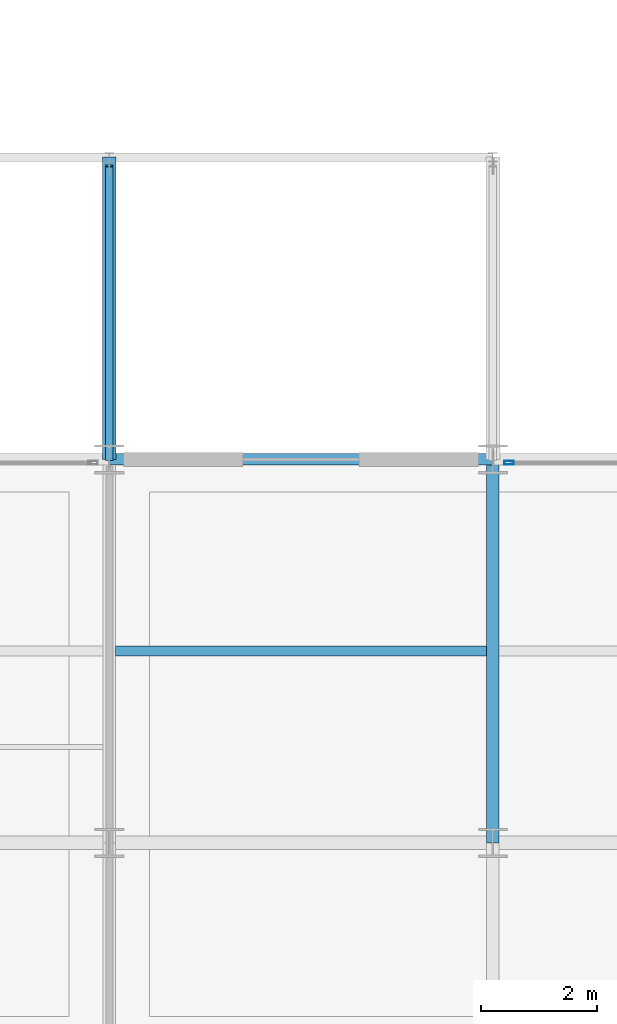
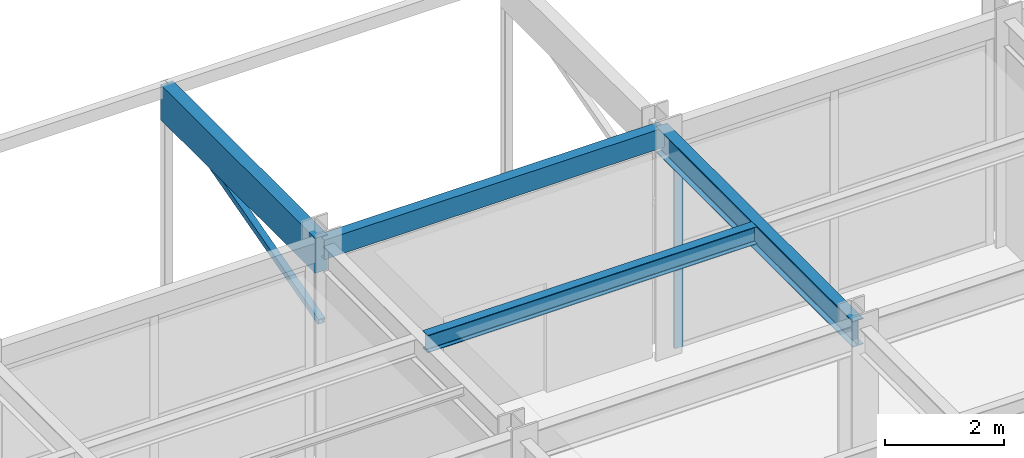
# One storey, part 59 of 144: 4 beams, 2 members, 1 element without a shape of its own.
"""IFC4 building model written with IfcOpenShell, lengths in metres."""

from ifc_helpers import new_model, si_unit, direction, frame, origin, origin_2d, place, context, subcontext, project, spatial, rectangle, hollow_rectangle, i_section, extrude, material, material_profile, profile_set, type_object, element, aggregate, save


model = new_model("IFC4")

# Units and contexts
model_context = context("Model", 3, precision=1e-05, world=origin(), true_north=direction((0.0, 1.0)))
body_context = subcontext(model_context, "Body", "Model", "MODEL_VIEW")
ifc_project = project(units=[si_unit("LENGTHUNIT", "METRE"), si_unit("AREAUNIT", "SQUARE_METRE"), si_unit("VOLUMEUNIT", "CUBIC_METRE"), si_unit("PLANEANGLEUNIT", "RADIAN"), si_unit("MASSUNIT", "GRAM", prefix="KILO")], contexts=[model_context])

# Site, building, storey
site_placement = place(None, origin())
site = spatial("IfcSite", under=ifc_project, at=site_placement, CompositionType="ELEMENT")
building_placement = place(site_placement, origin())
building = spatial("IfcBuilding", under=site, at=building_placement, Name="Karori Crest Natural Sciences Institute", CompositionType="ELEMENT")
storey_placement = place(building_placement, origin())
storey = spatial("IfcBuildingStorey", under=building, at=storey_placement, Name="L00", CompositionType="ELEMENT", Elevation=0.0)

# Beams
ifc_material_1 = material(Name="Structural steel AS/NZS 3679.1 Grade 350", Category="steel")
ifc_material_profile_1 = material_profile(ifc_material_1, i_section(OverallWidth=0.208984375, OverallDepth=0.532958984375, WebThickness=0.01025390625, FlangeThickness=0.015625, FilletRadius=0.013916015625, at=origin_2d()), Name="530UB92.4")
ifc_profile_set_1 = profile_set([ifc_material_profile_1], Name="Structural steel AS/NZS 3679.1 Grade 350")
beam_type_1 = type_object("IfcBeamType", Name="BT-05", PredefinedType="BEAM", material=ifc_profile_set_1)
beam_1_placement = place(storey_placement, frame((123.39990234375, 14.0, 4.353515625), z_axis=(0.0, 1.0, 0.0), x_axis=(-1.0, 0.0, 0.0)))
element("IfcBeam", 1, at=beam_1_placement, inside=storey, type_object=beam_type_1, Name="Beam B-2066", PredefinedType="BEAM", context=body_context, shape_type="SweptSolid", body=[
    extrude(i_section(OverallWidth=0.208984375, OverallDepth=0.532958984375, WebThickness=0.01025390625, FlangeThickness=0.015625, FilletRadius=0.013916015625, at=origin_2d()), origin(), (0.0, 0.0, 1.0), 6.60009765625),
])
ifc_material_profile_2 = material_profile(ifc_material_1, i_section(OverallWidth=0.172119140625, OverallDepth=0.35888671875, WebThickness=0.008056640625, FlangeThickness=0.012939453125, FilletRadius=0.010986328125, at=origin_2d()), Name="360UB56.7")
ifc_profile_set_2 = profile_set([ifc_material_profile_2], Name="Structural steel AS/NZS 3679.1 Grade 350")
beam_type_2 = type_object("IfcBeamType", Name="BT-08", PredefinedType="BEAM", material=ifc_profile_set_2)
beam_2_placement = place(storey_placement, frame((116.904541015625, 17.300048828125, 4.4404296875), z_axis=(1.0, 0.0, 0.0), x_axis=(0.0, 1.0, 0.0)))
element("IfcBeam", 2, at=beam_2_placement, inside=storey, type_object=beam_type_2, Name="Beam B-2092", PredefinedType="BEAM", context=body_context, shape_type="SweptSolid", body=[
    extrude(i_section(OverallWidth=0.172119140625, OverallDepth=0.35888671875, WebThickness=0.008056640625, FlangeThickness=0.012939453125, FilletRadius=0.010986328125, at=origin_2d()), origin(), (0.0, 0.0, 1.0), 6.390869140625),
])
ifc_material_2 = material(Name="Hollow structural steel AS/NZS 1163 Grade C350", Category="steel")
ifc_material_profile_3 = material_profile(ifc_material_2, hollow_rectangle(XDim=0.199951171875, YDim=0.39990234375, WallThickness=0.012451171875, at=origin_2d()), Name="RHS400x200x12.5")
ifc_profile_set_3 = profile_set([ifc_material_profile_3], Name="Hollow structural steel AS/NZS 1163 Grade C350")
beam_type_3 = type_object("IfcBeamType", Name="BT-14", PredefinedType="SPANDREL", material=ifc_profile_set_3)
beam_3_placement = place(storey_placement, frame((116.800048828125, 20.60009765625, 4.419921875), z_axis=(1.0, 0.0, 0.0), x_axis=(0.0, 1.0, 0.0)))
element("IfcBeam", 3, at=beam_3_placement, inside=storey, type_object=beam_type_3, Name="Beam B-2048", PredefinedType="SPANDREL", context=body_context, shape_type="SweptSolid", body=[
    extrude(hollow_rectangle(XDim=0.199951171875, YDim=0.39990234375, WallThickness=0.012451171875, at=origin_2d()), origin(), (0.0, 0.0, 1.0), 6.599853515625),
])
ifc_material_3 = material(Name="Glulam GL12", Category="wood")
ifc_material_profile_4 = material_profile(ifc_material_3, rectangle(XDim=0.239990234375, YDim=0.719970703125, at=origin_2d()), Name="GL240x720")
ifc_profile_set_4 = profile_set([ifc_material_profile_4], Name="Glulam GL12")
beam_type_4 = type_object("IfcBeamType", Name="BT-26", PredefinedType="BEAM", material=ifc_profile_set_4)
beam_4_placement = place(storey_placement, frame((116.800048828125, 20.60009765625, 4.280029296875), z_axis=(0.0, 1.0, 0.0), x_axis=(-1.0, 0.0, 0.0)))
element("IfcBeam", 4, at=beam_4_placement, inside=storey, type_object=beam_type_4, Name="Beam B-2877", PredefinedType="BEAM", context=body_context, shape_type="SweptSolid", body=[
    extrude(rectangle(XDim=0.239990234375, YDim=0.719970703125, at=origin_2d()), origin(), (0.0, 0.0, 1.0), 5.199951171875),
])

# Curtain wall, member
ifc_material_4 = material(Name="Anodised architectural aluminium 6063-T6", Category="aluminium")
curtain_wall_type = type_object("IfcCurtainWallType", Name="CWT-20", PredefinedType="NOTDEFINED", material=ifc_material_4)
curtain_wall_placement = place(storey_placement, origin())
curtain_wall = element("IfcCurtainWall", 5, at=curtain_wall_placement, inside=storey, type_object=curtain_wall_type, Name="Curtain wall CW-0298", PredefinedType="NOTDEFINED")
ifc_material_profile_5 = material_profile(ifc_material_4, hollow_rectangle(XDim=0.06494140625, YDim=0.159912109375, WallThickness=0.00390625, at=origin_2d()), Name="CWM160x65x4")
ifc_profile_set_5 = profile_set([ifc_material_profile_5], Name="Anodised architectural aluminium 6063-T6")
member_type_1 = type_object("IfcMemberType", Name="CWM-01", PredefinedType="MULLION", material=ifc_profile_set_5)
member_1_placement = place(storey_placement, frame((123.680419921875, 20.5400390625, 0.0), z_axis=(0.0, 0.0, 1.0), x_axis=(0.0, 1.0, 0.0)))
member_1 = element("IfcMember", 6, at=member_1_placement, type_object=member_type_1, Name="CW-0298 mullion 1", PredefinedType="MULLION", context=body_context, shape_type="SweptSolid", body=[
    extrude(hollow_rectangle(XDim=0.06494140625, YDim=0.159912109375, WallThickness=0.00390625, at=origin_2d()), origin(), (0.0, 0.0, 1.0), 4.205078125),
])
aggregate(curtain_wall, [member_1])

# Member
ifc_material_profile_6 = material_profile(ifc_material_2, hollow_rectangle(XDim=0.125, YDim=0.125, WallThickness=0.006103515625, at=origin_2d()), Name="SHS125x125x6")
ifc_profile_set_6 = profile_set([ifc_material_profile_6], Name="Hollow structural steel AS/NZS 1163 Grade C350")
member_type_2 = type_object("IfcMemberType", Name="MT-20", PredefinedType="STRUT", material=ifc_profile_set_6)
member_2_placement = place(storey_placement, frame((116.800048828125, 20.60009765625, 2.89990234375), z_axis=(0.0, 0.96462269799, 0.263634312113), x_axis=(-1.0, 0.0, 0.0)))
element("IfcMember", 7, at=member_2_placement, inside=storey, type_object=member_type_2, Name="Member M-0499", PredefinedType="STRUT", context=body_context, shape_type="SweptSolid", body=[
    extrude(hollow_rectangle(XDim=0.125, YDim=0.125, WallThickness=0.006103515625, at=origin_2d()), origin(), (0.0, 0.0, 1.0), 5.235107421875),
])

save(model, "model.ifc")
